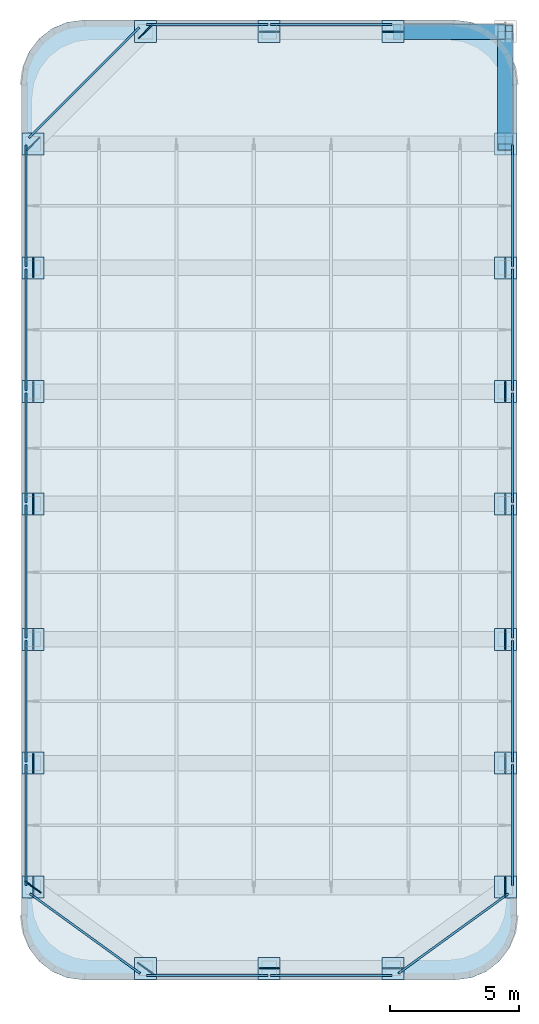
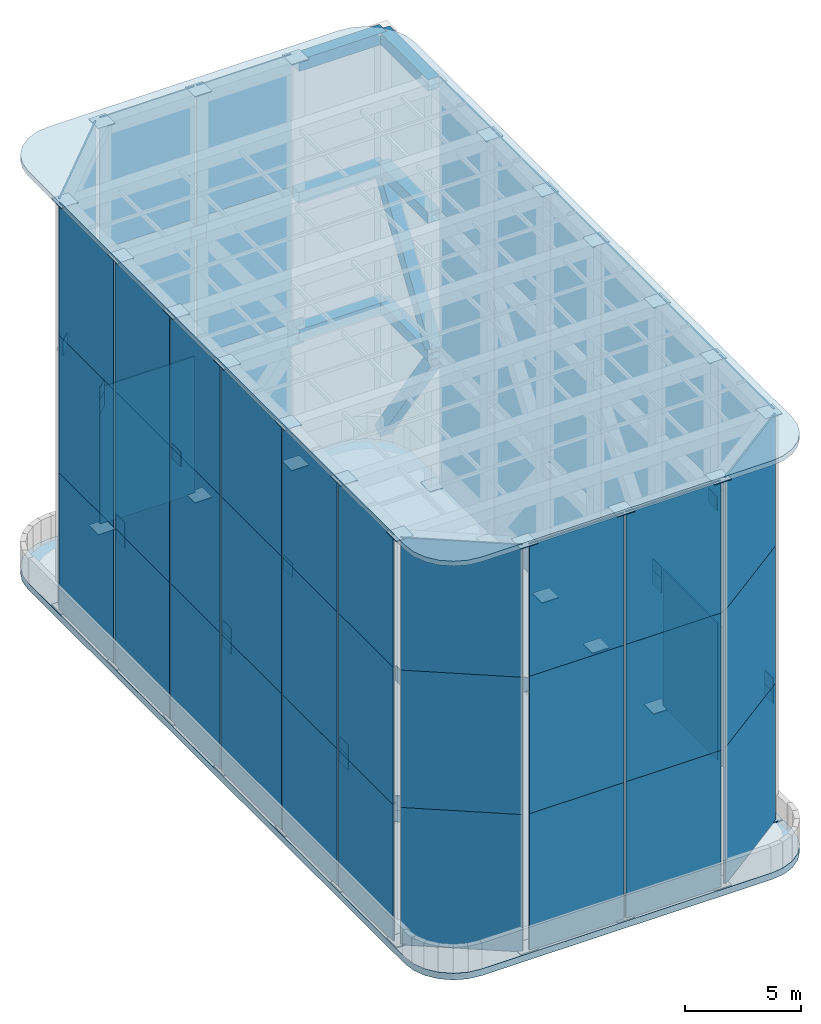
# One storey, part 2 of 4: 127 plates, 6 beams, 2 members, 1 slab.
"""IFC4 building model written with IfcOpenShell, lengths in metres."""

from ifc_helpers import new_model, si_unit, direction, frame, origin, origin_2d, place, context, subcontext, project, spatial, polyline, rectangle, hollow_rectangle, outline, extrude, material, layer, layer_set, material_profile, profile_set, type_object, element, save


model = new_model("IFC4")

# Units and contexts
model_context = context("Model", 3, precision=1e-05, world=origin(), true_north=direction((0.0, 1.0)))
body_context = subcontext(model_context, "Body", "Model", "MODEL_VIEW")
ifc_project = project(units=[si_unit("LENGTHUNIT", "METRE"), si_unit("AREAUNIT", "SQUARE_METRE"), si_unit("VOLUMEUNIT", "CUBIC_METRE"), si_unit("PLANEANGLEUNIT", "RADIAN"), si_unit("MASSUNIT", "GRAM", prefix="KILO")], contexts=[model_context])

# Site, building, storey
site_placement = place(None, origin())
site = spatial("IfcSite", under=ifc_project, at=site_placement, CompositionType="ELEMENT")
building_placement = place(site_placement, origin())
building = spatial("IfcBuilding", under=site, at=building_placement, Name="Orvandelia Arch Residences", CompositionType="ELEMENT")
storey_placement = place(building_placement, frame((0.0, 0.0, 301.0)))
storey = spatial("IfcBuildingStorey", under=building, at=storey_placement, Name="RF", CompositionType="ELEMENT", Elevation=301.0)

# Members
ifc_material_1 = material(Name="Structural Steel HSA650 (650 MPa)", Category="steel")
ifc_material_profile_1 = material_profile(ifc_material_1, hollow_rectangle(XDim=0.60009765625, YDim=0.60009765625, WallThickness=0.031982421875, at=origin_2d()), Name="Structural Steel HSA650 (650 MPa)", Category="steel")
ifc_profile_set_1 = profile_set([ifc_material_profile_1], Name="Structural Steel HSA650 (650 MPa)")
member_type = type_object("IfcMemberType", Name="CROWN-FRAME-BRACE", PredefinedType="BRACE", material=ifc_profile_set_1)
member_1_placement = place(storey_placement, frame((23.550048828125, 47.550048828125, 0.300048828125), z_axis=(0.0, -0.568196372605, 0.82289299557), x_axis=(1.0, 0.0, 0.0)))
element("IfcMember", 1, at=member_1_placement, inside=storey, type_object=member_type, Name="CROWN FRAME BRACE LO-11", PredefinedType="BRACE", context=body_context, shape_type="SweptSolid", body=[
    extrude(hollow_rectangle(XDim=0.60009765625, YDim=0.60009765625, WallThickness=0.031982421875, at=origin_2d()), origin(), (0.0, 0.0, 1.0), 7.656005859375),
])
member_2_placement = place(storey_placement, frame((23.550048828125, 43.199951171875, 7.199951171875), z_axis=(0.0, 0.550316298302, 0.834956269408), x_axis=(-1.0, 0.0, 0.0)))
element("IfcMember", 2, at=member_2_placement, inside=storey, type_object=member_type, Name="CROWN FRAME BRACE MID-11", PredefinedType="BRACE", context=body_context, shape_type="SweptSolid", body=[
    extrude(hollow_rectangle(XDim=0.60009765625, YDim=0.60009765625, WallThickness=0.031982421875, at=origin_2d()), origin(), (0.0, 0.0, 1.0), 7.90478515625),
])

# Beams
ifc_material_profile_2 = material_profile(ifc_material_1, hollow_rectangle(XDim=0.60009765625, YDim=0.60009765625, WallThickness=0.031982421875, at=origin_2d()), Name="Structural Steel HSA650 (650 MPa)", Category="steel")
ifc_profile_set_2 = profile_set([ifc_material_profile_2], Name="Structural Steel HSA650 (650 MPa)")
beam_type = type_object("IfcBeamType", Name="CROWN-FRAME-RING", PredefinedType="BEAM", material=ifc_profile_set_2)
for number, where, z_axis, x_axis, name in (
    (3, (19.199951171875, 47.550048828125, 6.89990234375), (1.0, 0.0, 0.0), (0.0, 1.0, 0.0), "CROWN FRAME TIER RING BEAM T1-10"),
    (4, (19.199951171875, 47.550048828125, 14.10009765625), (1.0, 0.0, 0.0), (0.0, 1.0, 0.0), "CROWN FRAME TIER RING BEAM T2-10"),
    (5, (19.199951171875, 47.550048828125, 21.0400390625), (1.0, 0.0, 0.0), (0.0, 1.0, 0.0), "CROWN FRAME TOP RING BEAM 10"),
    (6, (23.550048828125, 47.550048828125, 6.89990234375), (0.0, -1.0, 0.0), (1.0, 0.0, 0.0), "CROWN FRAME TIER RING BEAM T1-11"),
    (7, (23.550048828125, 47.550048828125, 14.10009765625), (0.0, -1.0, 0.0), (1.0, 0.0, 0.0), "CROWN FRAME TIER RING BEAM T2-11"),
    (8, (23.550048828125, 47.550048828125, 21.0400390625), (0.0, -1.0, 0.0), (1.0, 0.0, 0.0), "CROWN FRAME TOP RING BEAM 11"),
):
    element("IfcBeam", number, at=place(storey_placement, frame(where, z_axis=z_axis, x_axis=x_axis)), inside=storey, type_object=beam_type, Name=name, PredefinedType="BEAM", context=body_context, shape_type="SweptSolid", body=[
        extrude(hollow_rectangle(XDim=0.60009765625, YDim=0.60009765625, WallThickness=0.031982421875, at=origin_2d()), origin(), (0.0, 0.0, 1.0), 4.35009765625),
    ])

# Plates
ifc_layer_1 = layer(ifc_material_1, 0.050048828125, Name="Structural Steel HSA650 (650 MPa)", Category="steel")
ifc_layer_set_1 = layer_set([ifc_layer_1], Name="Structural Steel HSA650 (650 MPa)")
plate_type_1 = type_object("IfcPlateType", Name="PLT-BASE-850", PredefinedType="USERDEFINED", material=ifc_layer_set_1)
for number, where, z_axis, x_axis, name in (
    (9, (5.25, 14.39990234375, 0.0), (0.0, 0.0, 1.0), (1.0, 0.0, 0.0), "Crown Frame Base Plate CF1-01"),
    (10, (5.25, 14.39990234375, 21.2900390625), (0.0, 0.0, 1.0), (1.0, 0.0, 0.0), "Crown Frame Top Cap Plate CFC-01"),
    (11, (5.25, 19.199951171875, 0.0), (0.0, 0.0, 1.0), (1.0, 0.0, 0.0), "Crown Frame Base Plate CF1-02"),
    (12, (5.25, 19.199951171875, 21.2900390625), (0.0, 0.0, 1.0), (1.0, 0.0, 0.0), "Crown Frame Top Cap Plate CFC-02"),
    (13, (5.25, 24.0, 0.0), (0.0, 0.0, 1.0), (1.0, 0.0, 0.0), "Crown Frame Base Plate CF1-03"),
    (14, (5.25, 24.0, 21.2900390625), (0.0, 0.0, 1.0), (1.0, 0.0, 0.0), "Crown Frame Top Cap Plate CFC-03"),
    (15, (5.25, 29.25, 0.0), (0.0, 0.0, 1.0), (1.0, 0.0, 0.0), "Crown Frame Base Plate CF1-04"),
    (16, (5.25, 29.25, 21.2900390625), (0.0, 0.0, 1.0), (1.0, 0.0, 0.0), "Crown Frame Top Cap Plate CFC-04"),
    (17, (5.25, 33.60009765625, 0.0), (0.0, 0.0, 1.0), (1.0, 0.0, 0.0), "Crown Frame Base Plate CF1-05"),
    (18, (5.25, 33.60009765625, 21.2900390625), (0.0, 0.0, 1.0), (1.0, 0.0, 0.0), "Crown Frame Top Cap Plate CFC-05"),
    (19, (5.25, 38.39990234375, 0.0), (0.0, 0.0, 1.0), (1.0, 0.0, 0.0), "Crown Frame Base Plate CF1-06"),
    (20, (5.25, 38.39990234375, 21.2900390625), (0.0, 0.0, 1.0), (1.0, 0.0, 0.0), "Crown Frame Top Cap Plate CFC-06"),
    (21, (5.25, 43.199951171875, 0.0), (0.0, 0.0, 1.0), (1.0, 0.0, 0.0), "Crown Frame Base Plate CF1-07"),
    (22, (5.25, 43.199951171875, 21.2900390625), (0.0, 0.0, 1.0), (1.0, 0.0, 0.0), "Crown Frame Top Cap Plate CFC-07"),
    (23, (9.60009765625, 47.550048828125, 0.0), (0.0, 0.0, 1.0), (1.0, 0.0, 0.0), "Crown Frame Base Plate CF1-08"),
    (24, (9.60009765625, 47.550048828125, 21.2900390625), (0.0, 0.0, 1.0), (1.0, 0.0, 0.0), "Crown Frame Top Cap Plate CFC-08"),
    (25, (14.39990234375, 47.550048828125, 0.0), (0.0, 0.0, 1.0), (1.0, 0.0, 0.0), "Crown Frame Base Plate CF1-09"),
    (26, (14.39990234375, 47.550048828125, 21.2900390625), (0.0, 0.0, 1.0), (1.0, 0.0, 0.0), "Crown Frame Top Cap Plate CFC-09"),
    (27, (19.199951171875, 47.550048828125, 0.0), (0.0, 0.0, 1.0), (1.0, 0.0, 0.0), "Crown Frame Base Plate CF1-10"),
    (28, (19.199951171875, 47.550048828125, 21.2900390625), (0.0, 0.0, 1.0), (1.0, 0.0, 0.0), "Crown Frame Top Cap Plate CFC-10"),
    (29, (23.550048828125, 43.199951171875, 0.0), (0.0, 0.0, 1.0), (1.0, 0.0, 0.0), "Crown Frame Base Plate CF1-12"),
    (30, (23.550048828125, 38.39990234375, 0.0), (0.0, 0.0, 1.0), (1.0, 0.0, 0.0), "Crown Frame Base Plate CF1-13"),
    (31, (23.550048828125, 38.39990234375, 21.2900390625), (0.0, 0.0, 1.0), (1.0, 0.0, 0.0), "Crown Frame Top Cap Plate CFC-13"),
    (32, (23.550048828125, 33.60009765625, 0.0), (0.0, 0.0, 1.0), (1.0, 0.0, 0.0), "Crown Frame Base Plate CF1-14"),
    (33, (23.550048828125, 33.60009765625, 21.2900390625), (0.0, 0.0, 1.0), (1.0, 0.0, 0.0), "Crown Frame Top Cap Plate CFC-14"),
    (34, (23.550048828125, 29.25, 0.0), (0.0, 0.0, 1.0), (1.0, 0.0, 0.0), "Crown Frame Base Plate CF1-15"),
    (35, (23.550048828125, 29.25, 21.2900390625), (0.0, 0.0, 1.0), (1.0, 0.0, 0.0), "Crown Frame Top Cap Plate CFC-15"),
    (36, (23.550048828125, 24.0, 0.0), (0.0, 0.0, 1.0), (1.0, 0.0, 0.0), "Crown Frame Base Plate CF1-16"),
    (37, (23.550048828125, 24.0, 21.2900390625), (0.0, 0.0, 1.0), (1.0, 0.0, 0.0), "Crown Frame Top Cap Plate CFC-16"),
    (38, (23.550048828125, 19.199951171875, 0.0), (0.0, 0.0, 1.0), (1.0, 0.0, 0.0), "Crown Frame Base Plate CF1-17"),
    (39, (23.550048828125, 19.199951171875, 21.2900390625), (0.0, 0.0, 1.0), (1.0, 0.0, 0.0), "Crown Frame Top Cap Plate CFC-17"),
    (40, (23.550048828125, 14.39990234375, 0.0), (0.0, 0.0, 1.0), (1.0, 0.0, 0.0), "Crown Frame Base Plate CF1-18"),
    (41, (23.550048828125, 14.39990234375, 21.2900390625), (0.0, 0.0, 1.0), (1.0, 0.0, 0.0), "Crown Frame Top Cap Plate CFC-18"),
    (42, (19.199951171875, 11.25, 0.0), (0.0, 0.0, 1.0), (1.0, 0.0, 0.0), "Crown Frame Base Plate CF1-19"),
    (43, (19.199951171875, 11.25, 21.2900390625), (0.0, 0.0, 1.0), (1.0, 0.0, 0.0), "Crown Frame Top Cap Plate CFC-19"),
    (44, (14.39990234375, 11.25, 0.0), (0.0, 0.0, 1.0), (1.0, 0.0, 0.0), "Crown Frame Base Plate CF1-20"),
    (45, (14.39990234375, 11.25, 21.2900390625), (0.0, 0.0, 1.0), (1.0, 0.0, 0.0), "Crown Frame Top Cap Plate CFC-20"),
    (46, (9.60009765625, 11.25, 0.0), (0.0, 0.0, 1.0), (1.0, 0.0, 0.0), "Crown Frame Base Plate CF1-21"),
    (47, (9.60009765625, 11.25, 21.2900390625), (0.0, 0.0, 1.0), (1.0, 0.0, 0.0), "Crown Frame Top Cap Plate CFC-21"),
):
    element("IfcPlate", number, at=place(storey_placement, frame(where, z_axis=z_axis, x_axis=x_axis)), inside=storey, type_object=plate_type_1, Name=name, ObjectType="BASE_PLATE", PredefinedType="USERDEFINED", context=body_context, shape_type="SweptSolid", body=[
        extrude(rectangle(XDim=0.85009765625, YDim=0.85009765625, at=origin_2d()), origin(), (0.0, 0.0, 1.0), 0.050048828125),
    ])
ifc_material_2 = material(Name="Precast concrete C40/50", Category="concrete")
ifc_layer_2 = layer(ifc_material_2, 0.260009765625, Name="Precast concrete C40/50", Category="concrete")
ifc_layer_set_2 = layer_set([ifc_layer_2], Name="Precast concrete C40/50")
plate_type_2 = type_object("IfcPlateType", Name="PLT-CRCAP-260", PredefinedType="USERDEFINED", material=ifc_layer_set_2)
plate_1_placement = place(storey_placement, frame((0.0, 0.0, 21.340087890625)))
element("IfcPlate", 48, at=plate_1_placement, inside=storey, type_object=plate_type_2, Name="Screened Crown Top Acoustic Cap Slab SRC1", ObjectType="ACOUSTIC_CAP", PredefinedType="USERDEFINED", context=body_context, shape_type="SweptSolid", body=[
    extrude(outline(polyline([(4.800048828125, 13.199951171875), (4.8818359375, 12.578857421875), (5.12158203125, 12.0), (5.5029296875, 11.5029296875), (6.0, 11.12158203125), (6.578857421875, 10.8818359375), (7.199951171875, 10.800048828125), (21.60009765625, 10.800048828125), (22.22119140625, 10.8818359375), (22.800048828125, 11.12158203125), (23.297119140625, 11.5029296875), (23.678466796875, 12.0), (23.918212890625, 12.578857421875), (24.0, 13.199951171875), (24.0, 45.60009765625), (23.918212890625, 46.22119140625), (23.678466796875, 46.800048828125), (23.297119140625, 47.297119140625), (22.800048828125, 47.678466796875), (22.22119140625, 47.918212890625), (21.60009765625, 48.0), (7.199951171875, 48.0), (6.578857421875, 47.918212890625), (6.0, 47.678466796875), (5.5029296875, 47.297119140625), (5.12158203125, 46.800048828125), (4.8818359375, 46.22119140625), (4.800048828125, 45.60009765625), (4.800048828125, 13.199951171875)])), origin(), (0.0, 0.0, 1.0), 0.260009765625),
])
ifc_material_3 = material(Name="Anodised Champagne-Bronze Perforated Aluminium Screen", Category="aluminium")
ifc_layer_3 = layer(ifc_material_3, 0.080078125, Name="Anodised Champagne-Bronze Perforated Aluminium Screen", Category="aluminium")
ifc_layer_set_3 = layer_set([ifc_layer_3], Name="Anodised Champagne-Bronze Perforated Aluminium Screen")
plate_type_3 = type_object("IfcPlateType", Name="PLT-CSCR-4250x80x6940", PredefinedType="USERDEFINED", material=ifc_layer_set_3)
for number, where, z_axis, x_axis, name in (
    (49, (4.969970703125, 31.425048828125, 14.400146484375), (0.0, 0.0, 1.0), (0.0, 1.0, 0.0), "CROWN LOUVRE SCREEN PANEL T3-04"),
    (50, (23.830078125, 31.425048828125, 14.400146484375), (0.0, 0.0, 1.0), (0.0, -1.0, 0.0), "CROWN LOUVRE SCREEN PANEL T3-14"),
):
    element("IfcPlate", number, at=place(storey_placement, frame(where, z_axis=z_axis, x_axis=x_axis)), inside=storey, type_object=plate_type_3, Name=name, ObjectType="SCREEN_PANEL", PredefinedType="USERDEFINED", context=body_context, shape_type="SweptSolid", body=[
        extrude(rectangle(XDim=4.25, YDim=0.080078125, at=origin_2d()), origin(), (0.0, 0.0, 1.0), 6.93994140625),
    ])
ifc_layer_4 = layer(ifc_material_3, 0.080078125, Name="Anodised Champagne-Bronze Perforated Aluminium Screen", Category="aluminium")
ifc_layer_set_4 = layer_set([ifc_layer_4], Name="Anodised Champagne-Bronze Perforated Aluminium Screen")
plate_type_4 = type_object("IfcPlateType", Name="PLT-CSCR-4250x80x7200", PredefinedType="USERDEFINED", material=ifc_layer_set_4)
for number, where, z_axis, x_axis, name in (
    (51, (4.969970703125, 31.425048828125, 0.0), (0.0, 0.0, 1.0), (0.0, 1.0, 0.0), "CROWN LOUVRE SCREEN PANEL T1-04"),
    (52, (4.969970703125, 31.425048828125, 7.2001953125), (0.0, 0.0, 1.0), (0.0, 1.0, 0.0), "CROWN LOUVRE SCREEN PANEL T2-04"),
    (53, (23.830078125, 31.425048828125, 0.0), (0.0, 0.0, 1.0), (0.0, -1.0, 0.0), "CROWN LOUVRE SCREEN PANEL T1-14"),
    (54, (23.830078125, 31.425048828125, 7.2001953125), (0.0, 0.0, 1.0), (0.0, -1.0, 0.0), "CROWN LOUVRE SCREEN PANEL T2-14"),
):
    element("IfcPlate", number, at=place(storey_placement, frame(where, z_axis=z_axis, x_axis=x_axis)), inside=storey, type_object=plate_type_4, Name=name, ObjectType="SCREEN_PANEL", PredefinedType="USERDEFINED", context=body_context, shape_type="SweptSolid", body=[
        extrude(rectangle(XDim=4.25, YDim=0.080078125, at=origin_2d()), origin(), (0.0, 0.0, 1.0), 7.199951171875),
    ])
ifc_layer_5 = layer(ifc_material_3, 0.080078125, Name="Anodised Champagne-Bronze Perforated Aluminium Screen", Category="aluminium")
ifc_layer_set_5 = layer_set([ifc_layer_5], Name="Anodised Champagne-Bronze Perforated Aluminium Screen")
plate_type_5 = type_object("IfcPlateType", Name="PLT-CSCR-4700x80x6940", PredefinedType="USERDEFINED", material=ifc_layer_set_5)
for number, where, z_axis, x_axis, name in (
    (55, (4.969970703125, 16.800048828125, 14.400146484375), (0.0, 0.0, 1.0), (0.0, 1.0, 0.0), "CROWN LOUVRE SCREEN PANEL T3-01"),
    (56, (4.969970703125, 21.60009765625, 14.400146484375), (0.0, 0.0, 1.0), (0.0, 1.0, 0.0), "CROWN LOUVRE SCREEN PANEL T3-02"),
    (57, (4.969970703125, 36.0, 14.400146484375), (0.0, 0.0, 1.0), (0.0, 1.0, 0.0), "CROWN LOUVRE SCREEN PANEL T3-05"),
    (58, (4.969970703125, 40.800048828125, 14.400146484375), (0.0, 0.0, 1.0), (0.0, 1.0, 0.0), "CROWN LOUVRE SCREEN PANEL T3-06"),
    (59, (12.0, 47.830078125, 14.400146484375), (0.0, 0.0, 1.0), (1.0, 0.0, 0.0), "CROWN LOUVRE SCREEN PANEL T3-08"),
    (60, (16.800048828125, 47.830078125, 14.400146484375), (0.0, 0.0, 1.0), (1.0, 0.0, 0.0), "CROWN LOUVRE SCREEN PANEL T3-09"),
    (61, (23.830078125, 40.800048828125, 14.400146484375), (0.0, 0.0, 1.0), (0.0, -1.0, 0.0), "CROWN LOUVRE SCREEN PANEL T3-12"),
    (62, (23.830078125, 36.0, 14.400146484375), (0.0, 0.0, 1.0), (0.0, -1.0, 0.0), "CROWN LOUVRE SCREEN PANEL T3-13"),
    (63, (23.830078125, 21.60009765625, 14.400146484375), (0.0, 0.0, 1.0), (0.0, -1.0, 0.0), "CROWN LOUVRE SCREEN PANEL T3-16"),
    (64, (23.830078125, 16.800048828125, 14.400146484375), (0.0, 0.0, 1.0), (0.0, -1.0, 0.0), "CROWN LOUVRE SCREEN PANEL T3-17"),
    (65, (16.800048828125, 10.969970703125, 14.400146484375), (0.0, 0.0, 1.0), (-1.0, 0.0, 0.0), "CROWN LOUVRE SCREEN PANEL T3-19"),
    (66, (12.0, 10.969970703125, 14.400146484375), (0.0, 0.0, 1.0), (-1.0, 0.0, 0.0), "CROWN LOUVRE SCREEN PANEL T3-20"),
):
    element("IfcPlate", number, at=place(storey_placement, frame(where, z_axis=z_axis, x_axis=x_axis)), inside=storey, type_object=plate_type_5, Name=name, ObjectType="SCREEN_PANEL", PredefinedType="USERDEFINED", context=body_context, shape_type="SweptSolid", body=[
        extrude(rectangle(XDim=4.699951171875, YDim=0.080078125, at=origin_2d()), origin(), (0.0, 0.0, 1.0), 6.93994140625),
    ])
ifc_layer_6 = layer(ifc_material_3, 0.080078125, Name="Anodised Champagne-Bronze Perforated Aluminium Screen", Category="aluminium")
ifc_layer_set_6 = layer_set([ifc_layer_6], Name="Anodised Champagne-Bronze Perforated Aluminium Screen")
plate_type_6 = type_object("IfcPlateType", Name="PLT-CSCR-4700x80x7200", PredefinedType="USERDEFINED", material=ifc_layer_set_6)
for number, where, z_axis, x_axis, name in (
    (67, (4.969970703125, 16.800048828125, 0.0), (0.0, 0.0, 1.0), (0.0, 1.0, 0.0), "CROWN LOUVRE SCREEN PANEL T1-01"),
    (68, (4.969970703125, 16.800048828125, 7.2001953125), (0.0, 0.0, 1.0), (0.0, 1.0, 0.0), "CROWN LOUVRE SCREEN PANEL T2-01"),
    (69, (4.969970703125, 21.60009765625, 0.0), (0.0, 0.0, 1.0), (0.0, 1.0, 0.0), "CROWN LOUVRE SCREEN PANEL T1-02"),
    (70, (4.969970703125, 21.60009765625, 7.2001953125), (0.0, 0.0, 1.0), (0.0, 1.0, 0.0), "CROWN LOUVRE SCREEN PANEL T2-02"),
    (71, (4.969970703125, 36.0, 0.0), (0.0, 0.0, 1.0), (0.0, 1.0, 0.0), "CROWN LOUVRE SCREEN PANEL T1-05"),
    (72, (4.969970703125, 36.0, 7.2001953125), (0.0, 0.0, 1.0), (0.0, 1.0, 0.0), "CROWN LOUVRE SCREEN PANEL T2-05"),
    (73, (4.969970703125, 40.800048828125, 0.0), (0.0, 0.0, 1.0), (0.0, 1.0, 0.0), "CROWN LOUVRE SCREEN PANEL T1-06"),
    (74, (4.969970703125, 40.800048828125, 7.2001953125), (0.0, 0.0, 1.0), (0.0, 1.0, 0.0), "CROWN LOUVRE SCREEN PANEL T2-06"),
    (75, (12.0, 47.830078125, 0.0), (0.0, 0.0, 1.0), (1.0, 0.0, 0.0), "CROWN LOUVRE SCREEN PANEL T1-08"),
    (76, (12.0, 47.830078125, 7.2001953125), (0.0, 0.0, 1.0), (1.0, 0.0, 0.0), "CROWN LOUVRE SCREEN PANEL T2-08"),
    (77, (16.800048828125, 47.830078125, 0.0), (0.0, 0.0, 1.0), (1.0, 0.0, 0.0), "CROWN LOUVRE SCREEN PANEL T1-09"),
    (78, (16.800048828125, 47.830078125, 7.2001953125), (0.0, 0.0, 1.0), (1.0, 0.0, 0.0), "CROWN LOUVRE SCREEN PANEL T2-09"),
    (79, (23.830078125, 40.800048828125, 0.0), (0.0, 0.0, 1.0), (0.0, -1.0, 0.0), "CROWN LOUVRE SCREEN PANEL T1-12"),
    (80, (23.830078125, 40.800048828125, 7.2001953125), (0.0, 0.0, 1.0), (0.0, -1.0, 0.0), "CROWN LOUVRE SCREEN PANEL T2-12"),
    (81, (23.830078125, 36.0, 0.0), (0.0, 0.0, 1.0), (0.0, -1.0, 0.0), "CROWN LOUVRE SCREEN PANEL T1-13"),
    (82, (23.830078125, 36.0, 7.2001953125), (0.0, 0.0, 1.0), (0.0, -1.0, 0.0), "CROWN LOUVRE SCREEN PANEL T2-13"),
    (83, (23.830078125, 21.60009765625, 0.0), (0.0, 0.0, 1.0), (0.0, -1.0, 0.0), "CROWN LOUVRE SCREEN PANEL T1-16"),
    (84, (23.830078125, 21.60009765625, 7.2001953125), (0.0, 0.0, 1.0), (0.0, -1.0, 0.0), "CROWN LOUVRE SCREEN PANEL T2-16"),
    (85, (23.830078125, 16.800048828125, 0.0), (0.0, 0.0, 1.0), (0.0, -1.0, 0.0), "CROWN LOUVRE SCREEN PANEL T1-17"),
    (86, (23.830078125, 16.800048828125, 7.2001953125), (0.0, 0.0, 1.0), (0.0, -1.0, 0.0), "CROWN LOUVRE SCREEN PANEL T2-17"),
    (87, (16.800048828125, 10.969970703125, 0.0), (0.0, 0.0, 1.0), (-1.0, 0.0, 0.0), "CROWN LOUVRE SCREEN PANEL T1-19"),
    (88, (16.800048828125, 10.969970703125, 7.2001953125), (0.0, 0.0, 1.0), (-1.0, 0.0, 0.0), "CROWN LOUVRE SCREEN PANEL T2-19"),
    (89, (12.0, 10.969970703125, 0.0), (0.0, 0.0, 1.0), (-1.0, 0.0, 0.0), "CROWN LOUVRE SCREEN PANEL T1-20"),
    (90, (12.0, 10.969970703125, 7.2001953125), (0.0, 0.0, 1.0), (-1.0, 0.0, 0.0), "CROWN LOUVRE SCREEN PANEL T2-20"),
):
    element("IfcPlate", number, at=place(storey_placement, frame(where, z_axis=z_axis, x_axis=x_axis)), inside=storey, type_object=plate_type_6, Name=name, ObjectType="SCREEN_PANEL", PredefinedType="USERDEFINED", context=body_context, shape_type="SweptSolid", body=[
        extrude(rectangle(XDim=4.699951171875, YDim=0.080078125, at=origin_2d()), origin(), (0.0, 0.0, 1.0), 7.199951171875),
    ])
ifc_layer_7 = layer(ifc_material_3, 0.080078125, Name="Anodised Champagne-Bronze Perforated Aluminium Screen", Category="aluminium")
ifc_layer_set_7 = layer_set([ifc_layer_7], Name="Anodised Champagne-Bronze Perforated Aluminium Screen")
plate_type_7 = type_object("IfcPlateType", Name="PLT-CSCR-5150x80x6940", PredefinedType="USERDEFINED", material=ifc_layer_set_7)
for number, where, z_axis, x_axis, name in (
    (91, (4.969970703125, 26.625, 14.400146484375), (0.0, 0.0, 1.0), (0.0, 1.0, 0.0), "CROWN LOUVRE SCREEN PANEL T3-03"),
    (92, (23.830078125, 26.625, 14.400146484375), (0.0, 0.0, 1.0), (0.0, -1.0, 0.0), "CROWN LOUVRE SCREEN PANEL T3-15"),
):
    element("IfcPlate", number, at=place(storey_placement, frame(where, z_axis=z_axis, x_axis=x_axis)), inside=storey, type_object=plate_type_7, Name=name, ObjectType="SCREEN_PANEL", PredefinedType="USERDEFINED", context=body_context, shape_type="SweptSolid", body=[
        extrude(rectangle(XDim=5.14990234375, YDim=0.080078125, at=origin_2d()), origin(), (0.0, 0.0, 1.0), 6.93994140625),
    ])
ifc_layer_8 = layer(ifc_material_3, 0.080078125, Name="Anodised Champagne-Bronze Perforated Aluminium Screen", Category="aluminium")
ifc_layer_set_8 = layer_set([ifc_layer_8], Name="Anodised Champagne-Bronze Perforated Aluminium Screen")
plate_type_8 = type_object("IfcPlateType", Name="PLT-CSCR-5150x80x7200", PredefinedType="USERDEFINED", material=ifc_layer_set_8)
for number, where, z_axis, x_axis, name in (
    (93, (4.969970703125, 26.625, 0.0), (0.0, 0.0, 1.0), (0.0, 1.0, 0.0), "CROWN LOUVRE SCREEN PANEL T1-03"),
    (94, (4.969970703125, 26.625, 7.2001953125), (0.0, 0.0, 1.0), (0.0, 1.0, 0.0), "CROWN LOUVRE SCREEN PANEL T2-03"),
    (95, (23.830078125, 26.625, 0.0), (0.0, 0.0, 1.0), (0.0, -1.0, 0.0), "CROWN LOUVRE SCREEN PANEL T1-15"),
    (96, (23.830078125, 26.625, 7.2001953125), (0.0, 0.0, 1.0), (0.0, -1.0, 0.0), "CROWN LOUVRE SCREEN PANEL T2-15"),
):
    element("IfcPlate", number, at=place(storey_placement, frame(where, z_axis=z_axis, x_axis=x_axis)), inside=storey, type_object=plate_type_8, Name=name, ObjectType="SCREEN_PANEL", PredefinedType="USERDEFINED", context=body_context, shape_type="SweptSolid", body=[
        extrude(rectangle(XDim=5.14990234375, YDim=0.080078125, at=origin_2d()), origin(), (0.0, 0.0, 1.0), 7.199951171875),
    ])
ifc_layer_9 = layer(ifc_material_3, 0.080078125, Name="Anodised Champagne-Bronze Perforated Aluminium Screen", Category="aluminium")
ifc_layer_set_9 = layer_set([ifc_layer_9], Name="Anodised Champagne-Bronze Perforated Aluminium Screen")
plate_type_9 = type_object("IfcPlateType", Name="PLT-CSCR-5271x80x6940", PredefinedType="USERDEFINED", material=ifc_layer_set_9)
for number, where, z_axis, x_axis, name in (
    (97, (21.539306640625, 12.59814453125, 14.400146484375), (0.0, 0.0, 1.0), (-0.809942121545, -0.586509812149, 0.0), "CROWN LOUVRE SCREEN PANEL T3-18"),
    (98, (7.2607421875, 12.59814453125, 14.400146484375), (0.0, 0.0, 1.0), (-0.809942121545, 0.586509812149, 0.0), "CROWN LOUVRE SCREEN PANEL T3-21"),
):
    element("IfcPlate", number, at=place(storey_placement, frame(where, z_axis=z_axis, x_axis=x_axis)), inside=storey, type_object=plate_type_9, Name=name, ObjectType="SCREEN_PANEL", PredefinedType="USERDEFINED", context=body_context, shape_type="SweptSolid", body=[
        extrude(rectangle(XDim=5.270751953125, YDim=0.080078125, at=origin_2d()), origin(), (0.0, 0.0, 1.0), 6.93994140625),
    ])
ifc_layer_10 = layer(ifc_material_3, 0.080078125, Name="Anodised Champagne-Bronze Perforated Aluminium Screen", Category="aluminium")
ifc_layer_set_10 = layer_set([ifc_layer_10], Name="Anodised Champagne-Bronze Perforated Aluminium Screen")
plate_type_10 = type_object("IfcPlateType", Name="PLT-CSCR-5271x80x7200", PredefinedType="USERDEFINED", material=ifc_layer_set_10)
for number, where, z_axis, x_axis, name in (
    (99, (21.539306640625, 12.59814453125, 0.0), (0.0, 0.0, 1.0), (-0.809942121545, -0.586509812149, 0.0), "CROWN LOUVRE SCREEN PANEL T1-18"),
    (100, (21.539306640625, 12.59814453125, 7.2001953125), (0.0, 0.0, 1.0), (-0.809942121545, -0.586509812149, 0.0), "CROWN LOUVRE SCREEN PANEL T2-18"),
    (101, (7.2607421875, 12.59814453125, 0.0), (0.0, 0.0, 1.0), (-0.809942121545, 0.586509812149, 0.0), "CROWN LOUVRE SCREEN PANEL T1-21"),
    (102, (7.2607421875, 12.59814453125, 7.2001953125), (0.0, 0.0, 1.0), (-0.809942121545, 0.586509812149, 0.0), "CROWN LOUVRE SCREEN PANEL T2-21"),
):
    element("IfcPlate", number, at=place(storey_placement, frame(where, z_axis=z_axis, x_axis=x_axis)), inside=storey, type_object=plate_type_10, Name=name, ObjectType="SCREEN_PANEL", PredefinedType="USERDEFINED", context=body_context, shape_type="SweptSolid", body=[
        extrude(rectangle(XDim=5.270751953125, YDim=0.080078125, at=origin_2d()), origin(), (0.0, 0.0, 1.0), 7.199951171875),
    ])
ifc_layer_11 = layer(ifc_material_3, 0.080078125, Name="Anodised Champagne-Bronze Perforated Aluminium Screen", Category="aluminium")
ifc_layer_set_11 = layer_set([ifc_layer_11], Name="Anodised Champagne-Bronze Perforated Aluminium Screen")
plate_type_11 = type_object("IfcPlateType", Name="PLT-CSCR-6052x80x6940", PredefinedType="USERDEFINED", material=ifc_layer_set_11)
plate_2_placement = place(storey_placement, frame((7.22705078125, 45.572998046875, 14.400146484375), z_axis=(0.0, 0.0, 1.0), x_axis=(0.707106781187, 0.707106781187, 0.0)))
element("IfcPlate", 103, at=plate_2_placement, inside=storey, type_object=plate_type_11, Name="CROWN LOUVRE SCREEN PANEL T3-07", ObjectType="SCREEN_PANEL", PredefinedType="USERDEFINED", context=body_context, shape_type="SweptSolid", body=[
    extrude(rectangle(XDim=6.0517578125, YDim=0.080078125, at=origin_2d()), origin(), (0.0, 0.0, 1.0), 6.93994140625),
])
ifc_layer_12 = layer(ifc_material_3, 0.080078125, Name="Anodised Champagne-Bronze Perforated Aluminium Screen", Category="aluminium")
ifc_layer_set_12 = layer_set([ifc_layer_12], Name="Anodised Champagne-Bronze Perforated Aluminium Screen")
plate_type_12 = type_object("IfcPlateType", Name="PLT-CSCR-6052x80x7200", PredefinedType="USERDEFINED", material=ifc_layer_set_12)
for number, where, z_axis, x_axis, name in (
    (104, (7.22705078125, 45.572998046875, 0.0), (0.0, 0.0, 1.0), (0.707106781187, 0.707106781187, 0.0), "CROWN LOUVRE SCREEN PANEL T1-07"),
    (105, (7.22705078125, 45.572998046875, 7.2001953125), (0.0, 0.0, 1.0), (0.707106781187, 0.707106781187, 0.0), "CROWN LOUVRE SCREEN PANEL T2-07"),
):
    element("IfcPlate", number, at=place(storey_placement, frame(where, z_axis=z_axis, x_axis=x_axis)), inside=storey, type_object=plate_type_12, Name=name, ObjectType="SCREEN_PANEL", PredefinedType="USERDEFINED", context=body_context, shape_type="SweptSolid", body=[
        extrude(rectangle(XDim=6.0517578125, YDim=0.080078125, at=origin_2d()), origin(), (0.0, 0.0, 1.0), 7.199951171875),
    ])
ifc_layer_13 = layer(ifc_material_1, 0.0400390625, Name="Structural Steel HSA650 (650 MPa)", Category="steel")
ifc_layer_set_13 = layer_set([ifc_layer_13], Name="Structural Steel HSA650 (650 MPa)")
plate_type_13 = type_object("IfcPlateType", Name="PLT-GUSSET-750", PredefinedType="USERDEFINED", material=ifc_layer_set_13)
for number, where, z_axis, x_axis, name in (
    (106, (5.25, 19.199951171875, 6.22509765625), (0.0, 0.0, 1.0), (0.0, 1.0, 0.0), "Crown Brace Gusset Plate 01-1H"),
    (107, (5.25, 19.199951171875, 6.824951171875), (0.0, 0.0, 1.0), (0.0, 1.0, 0.0), "Crown Brace Gusset Plate 01-2L"),
    (108, (5.25, 14.39990234375, 13.425048828125), (0.0, 0.0, 1.0), (0.0, 1.0, 0.0), "Crown Brace Gusset Plate 01-2H"),
    (109, (5.25, 29.25, 6.22509765625), (0.0, 0.0, 1.0), (0.0, 1.0, 0.0), "Crown Brace Gusset Plate 03-1H"),
    (110, (5.25, 29.25, 6.824951171875), (0.0, 0.0, 1.0), (0.0, 1.0, 0.0), "Crown Brace Gusset Plate 03-2L"),
    (111, (5.25, 24.0, 13.425048828125), (0.0, 0.0, 1.0), (0.0, 1.0, 0.0), "Crown Brace Gusset Plate 03-2H"),
    (112, (5.25, 38.39990234375, 6.22509765625), (0.0, 0.0, 1.0), (0.0, 1.0, 0.0), "Crown Brace Gusset Plate 05-1H"),
    (113, (5.25, 38.39990234375, 6.824951171875), (0.0, 0.0, 1.0), (0.0, 1.0, 0.0), "Crown Brace Gusset Plate 05-2L"),
    (114, (5.25, 33.60009765625, 13.425048828125), (0.0, 0.0, 1.0), (0.0, 1.0, 0.0), "Crown Brace Gusset Plate 05-2H"),
    (115, (9.60009765625, 47.550048828125, 6.22509765625), (0.0, 0.0, 1.0), (0.707106781187, 0.707106781187, 0.0), "Crown Brace Gusset Plate 07-1H"),
    (116, (9.60009765625, 47.550048828125, 6.824951171875), (0.0, 0.0, 1.0), (0.707106781187, 0.707106781187, 0.0), "Crown Brace Gusset Plate 07-2L"),
    (117, (5.25, 43.199951171875, 13.425048828125), (0.0, 0.0, 1.0), (0.707106781187, 0.707106781187, 0.0), "Crown Brace Gusset Plate 07-2H"),
    (118, (19.199951171875, 47.550048828125, 6.22509765625), (0.0, 0.0, 1.0), (1.0, 0.0, 0.0), "Crown Brace Gusset Plate 09-1H"),
    (119, (19.199951171875, 47.550048828125, 6.824951171875), (0.0, 0.0, 1.0), (1.0, 0.0, 0.0), "Crown Brace Gusset Plate 09-2L"),
    (120, (14.39990234375, 47.550048828125, 13.425048828125), (0.0, 0.0, 1.0), (1.0, 0.0, 0.0), "Crown Brace Gusset Plate 09-2H"),
    (121, (23.550048828125, 33.60009765625, 6.22509765625), (0.0, 0.0, 1.0), (0.0, -1.0, 0.0), "Crown Brace Gusset Plate 13-1H"),
    (122, (23.550048828125, 33.60009765625, 6.824951171875), (0.0, 0.0, 1.0), (0.0, -1.0, 0.0), "Crown Brace Gusset Plate 13-2L"),
    (123, (23.550048828125, 38.39990234375, 13.425048828125), (0.0, 0.0, 1.0), (0.0, -1.0, 0.0), "Crown Brace Gusset Plate 13-2H"),
    (124, (23.550048828125, 24.0, 6.22509765625), (0.0, 0.0, 1.0), (0.0, -1.0, 0.0), "Crown Brace Gusset Plate 15-1H"),
    (125, (23.550048828125, 24.0, 6.824951171875), (0.0, 0.0, 1.0), (0.0, -1.0, 0.0), "Crown Brace Gusset Plate 15-2L"),
    (126, (23.550048828125, 29.25, 13.425048828125), (0.0, 0.0, 1.0), (0.0, -1.0, 0.0), "Crown Brace Gusset Plate 15-2H"),
    (127, (23.550048828125, 14.39990234375, 6.22509765625), (0.0, 0.0, 1.0), (0.0, -1.0, 0.0), "Crown Brace Gusset Plate 17-1H"),
    (128, (23.550048828125, 14.39990234375, 6.824951171875), (0.0, 0.0, 1.0), (0.0, -1.0, 0.0), "Crown Brace Gusset Plate 17-2L"),
    (129, (23.550048828125, 19.199951171875, 13.425048828125), (0.0, 0.0, 1.0), (0.0, -1.0, 0.0), "Crown Brace Gusset Plate 17-2H"),
    (130, (14.39990234375, 11.25, 6.22509765625), (0.0, 0.0, 1.0), (-1.0, 0.0, 0.0), "Crown Brace Gusset Plate 19-1H"),
    (131, (14.39990234375, 11.25, 6.824951171875), (0.0, 0.0, 1.0), (-1.0, 0.0, 0.0), "Crown Brace Gusset Plate 19-2L"),
    (132, (19.199951171875, 11.25, 13.425048828125), (0.0, 0.0, 1.0), (-1.0, 0.0, 0.0), "Crown Brace Gusset Plate 19-2H"),
    (133, (5.25, 14.39990234375, 6.22509765625), (0.0, 0.0, 1.0), (-0.809939286826, 0.586513726741, 0.0), "Crown Brace Gusset Plate 21-1H"),
    (134, (5.25, 14.39990234375, 6.824951171875), (0.0, 0.0, 1.0), (-0.809939286826, 0.586513726741, 0.0), "Crown Brace Gusset Plate 21-2L"),
    (135, (9.60009765625, 11.25, 13.425048828125), (0.0, 0.0, 1.0), (-0.809939286826, 0.586513726741, 0.0), "Crown Brace Gusset Plate 21-2H"),
):
    element("IfcPlate", number, at=place(storey_placement, frame(where, z_axis=z_axis, x_axis=x_axis)), inside=storey, type_object=plate_type_13, Name=name, ObjectType="GUSSET_PLATE", PredefinedType="USERDEFINED", context=body_context, shape_type="SweptSolid", body=[
        extrude(rectangle(XDim=0.75, YDim=0.0400390625, at=origin_2d()), origin(), (0.0, 0.0, 1.0), 0.75),
    ])

# Slab
ifc_material_4 = material(Name="Concrete C40/50", Category="concrete")
ifc_layer_14 = layer(ifc_material_4, 0.35009765625, Name="Concrete C40/50", Category="concrete")
ifc_layer_set_14 = layer_set([ifc_layer_14], Name="Concrete C40/50")
slab_type = type_object("IfcSlabType", Name="SLB-ROOF-350", PredefinedType="ROOF", material=ifc_layer_set_14)
slab_placement = place(storey_placement, frame((0.0, 0.0, -0.35009765625)))
element("IfcSlab", 136, at=slab_placement, inside=storey, type_object=slab_type, Name="Main Roof Slab RF-1", PredefinedType="ROOF", context=body_context, shape_type="SweptSolid", body=[
    extrude(outline(polyline([(4.800048828125, 13.199951171875), (4.8818359375, 12.578857421875), (5.12158203125, 12.0), (5.5029296875, 11.5029296875), (6.0, 11.12158203125), (6.578857421875, 10.8818359375), (7.199951171875, 10.800048828125), (21.60009765625, 10.800048828125), (22.22119140625, 10.8818359375), (22.800048828125, 11.12158203125), (23.297119140625, 11.5029296875), (23.678466796875, 12.0), (23.918212890625, 12.578857421875), (24.0, 13.199951171875), (24.0, 45.60009765625), (23.918212890625, 46.22119140625), (23.678466796875, 46.800048828125), (23.297119140625, 47.297119140625), (22.800048828125, 47.678466796875), (22.22119140625, 47.918212890625), (21.60009765625, 48.0), (7.199951171875, 48.0), (6.578857421875, 47.918212890625), (6.0, 47.678466796875), (5.5029296875, 47.297119140625), (5.12158203125, 46.800048828125), (4.8818359375, 46.22119140625), (4.800048828125, 45.60009765625), (4.800048828125, 13.199951171875)])), origin(), (0.0, 0.0, 1.0), 0.35009765625),
])

save(model, "model.ifc")
